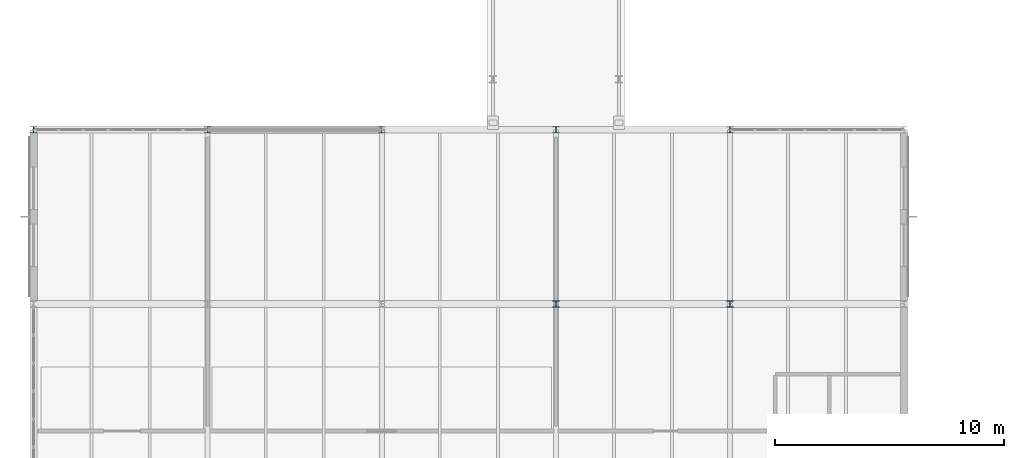
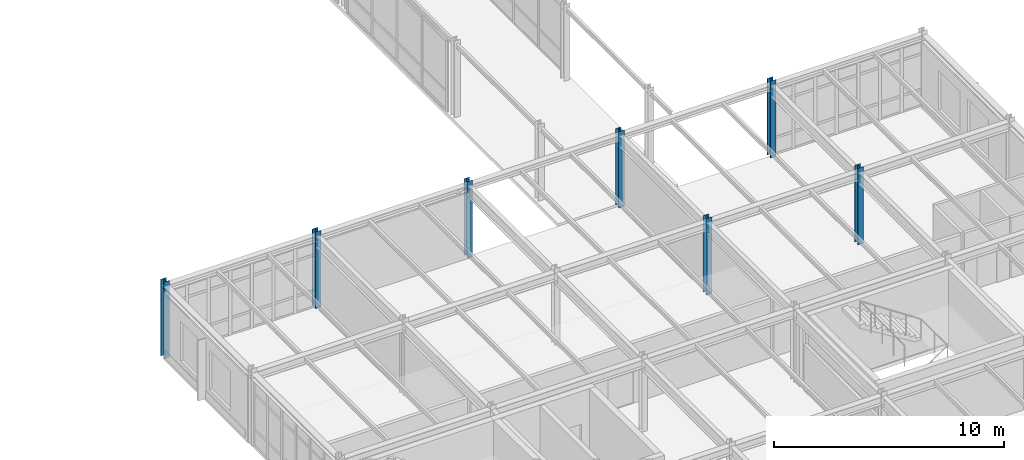
# One storey, part 2 of 165: 7 columns.
"""IFC4 building model written with IfcOpenShell, lengths in metres."""

from ifc_helpers import new_model, si_unit, direction, frame, origin, origin_2d, place, context, subcontext, project, spatial, i_section, extrude, material, material_profile, profile_set, type_object, element, save


model = new_model("IFC4")

# Units and contexts
model_context = context("Model", 3, precision=1e-05, world=origin(), true_north=direction((0.0, 1.0)))
body_context = subcontext(model_context, "Body", "Model", "MODEL_VIEW")
ifc_project = project(units=[si_unit("LENGTHUNIT", "METRE"), si_unit("AREAUNIT", "SQUARE_METRE"), si_unit("VOLUMEUNIT", "CUBIC_METRE"), si_unit("PLANEANGLEUNIT", "RADIAN"), si_unit("MASSUNIT", "GRAM", prefix="KILO")], contexts=[model_context])

# Site, building, storey
site_placement = place(None, origin())
site = spatial("IfcSite", under=ifc_project, at=site_placement, CompositionType="ELEMENT")
building_placement = place(site_placement, origin())
building = spatial("IfcBuilding", under=site, at=building_placement, Name="Montecoro Central Library", CompositionType="ELEMENT")
storey_placement = place(building_placement, frame((0.0, 0.0, 5.10009765625)))
storey = spatial("IfcBuildingStorey", under=building, at=storey_placement, Name="L01", CompositionType="ELEMENT", Elevation=5.10009765625)

# Columns
ifc_material = material(Name="Steel S355", Category="steel")
ifc_material_profile = material_profile(ifc_material, i_section(OverallWidth=0.280029296875, OverallDepth=0.280029296875, WebThickness=0.010498046875, FlangeThickness=0.01806640625, at=origin_2d()), Name="HEB 280")
ifc_profile_set = profile_set([ifc_material_profile], Name="Steel S355")
column_type = type_object("IfcColumnType", Name="COL-HEB280", PredefinedType="COLUMN", material=ifc_profile_set)
for number, where, z_axis, x_axis, name in (
    (1, (5.0, 35.39990234375, 0.0), (0.0, 0.0, 1.0), (1.0, 0.0, 0.0), "V3-L01-COL-1-E"),
    (2, (12.60009765625, 35.39990234375, 0.0), (0.0, 0.0, 1.0), (1.0, 0.0, 0.0), "V3-L01-COL-2-E"),
    (3, (20.199951171875, 35.39990234375, 0.0), (0.0, 0.0, 1.0), (1.0, 0.0, 0.0), "V3-L01-COL-3-E"),
    (4, (27.800048828125, 27.800048828125, 0.0), (0.0, 0.0, 1.0), (1.0, 0.0, 0.0), "V3-L01-COL-4-D"),
    (5, (27.800048828125, 35.39990234375, 0.0), (0.0, 0.0, 1.0), (1.0, 0.0, 0.0), "V3-L01-COL-4-E"),
    (6, (35.39990234375, 27.800048828125, 0.0), (0.0, 0.0, 1.0), (1.0, 0.0, 0.0), "V3-L01-COL-5-D"),
    (7, (35.39990234375, 35.39990234375, 0.0), (0.0, 0.0, 1.0), (1.0, 0.0, 0.0), "V3-L01-COL-5-E"),
):
    element("IfcColumn", number, at=place(storey_placement, frame(where, z_axis=z_axis, x_axis=x_axis)), inside=storey, type_object=column_type, Name=name, PredefinedType="COLUMN", context=body_context, shape_type="SweptSolid", body=[
        extrude(i_section(OverallWidth=0.280029296875, OverallDepth=0.280029296875, WebThickness=0.010498046875, FlangeThickness=0.01806640625, at=origin_2d()), origin(), (0.0, 0.0, 1.0), 4.054931640625),
    ])

save(model, "model.ifc")
